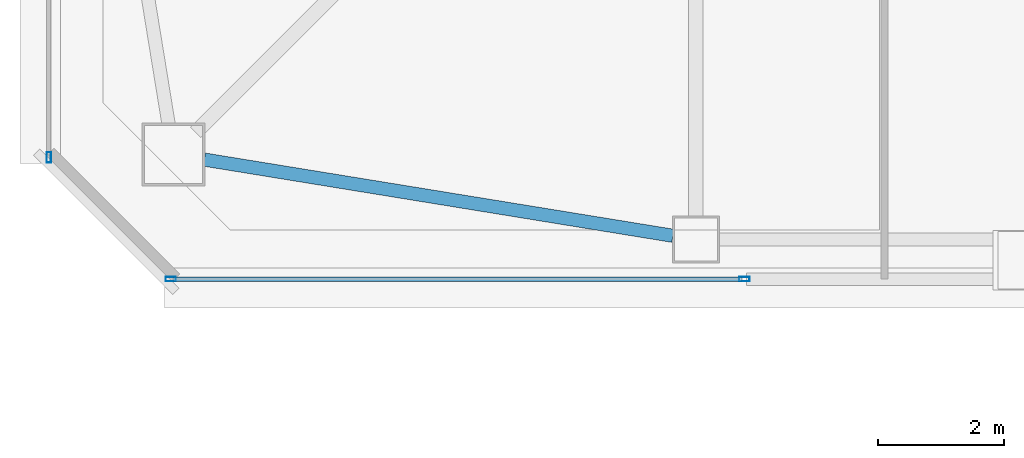
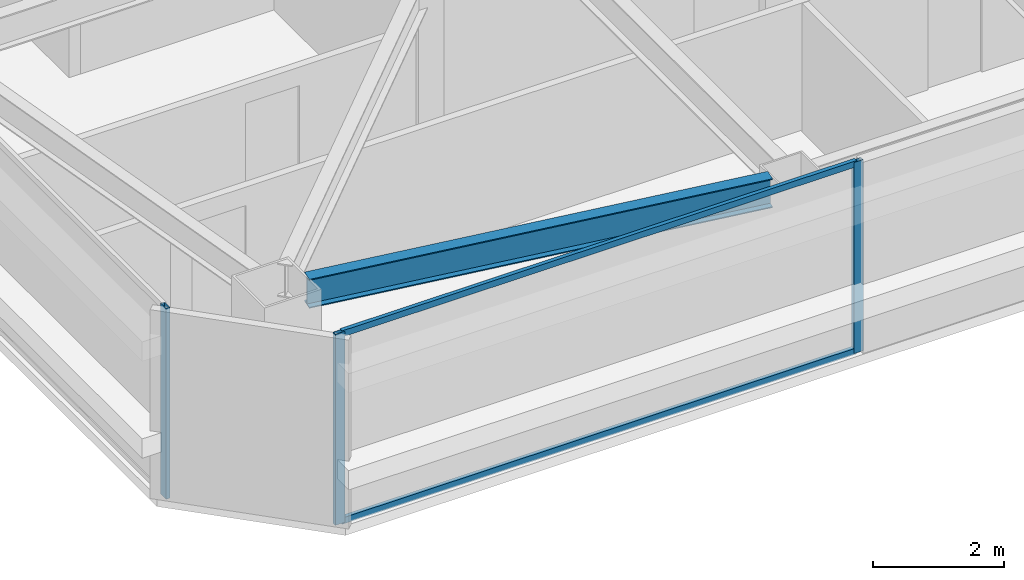
# One storey, part 3 of 39: 5 members, 1 beam, 2 elements without a shape of their own.
"""IFC4 building model written with IfcOpenShell, lengths in metres."""

import ifcopenshell
import ifcopenshell.guid

model = None  # the IFC model being written
_history = None  # IfcOwnerHistory: only IFC2X3 demands one
_inside = {}  # id of a spatial element -> (the spatial element, [elements in it])
_under = {}  # id of a project, library or spatial element -> (it, [spatial elements below it])
_declared = {}  # id of a project -> (the project, [libraries it declares])
_typed = {}  # id of a type object -> (the type object, [elements of that type])
_made_of = {}  # id of a material, layer set ... -> (it, [elements and type objects made of it])


def new_model(schema):
    """Start an empty IFC model of exactly this schema.

    Asked for "IFC4X3", IfcOpenShell would pick the latest addendum, in which some entities
    have other attributes; the version numbers below select the first issue.
    IFC2X3 requires an IfcOwnerHistory on every rooted entity: one is made here for all.
    """
    global model, _history
    if schema == "IFC4X3":
        model = ifcopenshell.file(schema_version=(4, 3, 0, 0))
    else:
        model = ifcopenshell.file(schema=schema)
    _inside.clear()
    _under.clear()
    _declared.clear()
    _typed.clear()
    _made_of.clear()
    _history = None
    if model.schema == "IFC2X3":
        org = make("IfcOrganization", Name="unknown")
        user = make(
            "IfcPersonAndOrganization",
            ThePerson=make("IfcPerson", FamilyName="unknown"),
            TheOrganization=org,
        )
        app = make(
            "IfcApplication",
            ApplicationDeveloper=org,
            Version="unknown",
            ApplicationFullName="unknown",
            ApplicationIdentifier="unknown",
        )
        _history = make(
            "IfcOwnerHistory",
            OwningUser=user,
            OwningApplication=app,
            ChangeAction="ADDED",
            CreationDate=0,
        )
    return model


def make(cls, **values):
    """One entity of the class cls with the attributes given. An attribute that is None is left unset."""
    return model.create_entity(
        cls, **{name: value for name, value in values.items() if value is not None}
    )


def rooted(cls, **values):
    """An entity with a GlobalId (a new one), such as an element, a storey or a relation."""
    return make(cls, GlobalId=ifcopenshell.guid.new(), OwnerHistory=_history, **values)


def si_unit(unit_type, name, prefix=None):
    """IfcSIUnit, for example si_unit("LENGTHUNIT", "METRE", prefix="MILLI")."""
    return make("IfcSIUnit", UnitType=unit_type, Prefix=prefix, Name=name)


def assignment(units):
    """IfcUnitAssignment: the units of a project."""
    return None if units is None else make("IfcUnitAssignment", Units=units)


def point(xyz):
    """IfcCartesianPoint."""
    return None if xyz is None else make("IfcCartesianPoint", Coordinates=xyz)


def direction(xyz):
    """IfcDirection."""
    return None if xyz is None else make("IfcDirection", DirectionRatios=xyz)


def frame(location, z_axis=None, x_axis=None):
    """IfcAxis2Placement3D, a coordinate frame: its origin and axes. An axis left out is left unset."""
    return make(
        "IfcAxis2Placement3D",
        Location=point(location),
        Axis=direction(z_axis),
        RefDirection=direction(x_axis),
    )


def frame_2d(location, x_axis=None):
    """IfcAxis2Placement2D, a coordinate frame in the plane: its origin and x axis."""
    return make(
        "IfcAxis2Placement2D", Location=point(location), RefDirection=direction(x_axis)
    )


def origin():
    """The frame at (0, 0, 0) with its axes left unset."""
    return frame((0.0, 0.0, 0.0))


def origin_2d():
    """The frame at (0, 0) in the plane with its x axis left unset."""
    return frame_2d((0.0, 0.0))


def place(relative_to, where):
    """IfcLocalPlacement: puts the frame where relative to a parent placement (None: the world)."""
    return make(
        "IfcLocalPlacement", PlacementRelTo=relative_to, RelativePlacement=where
    )


def context(
    kind, dimensions, precision=None, world=None, true_north=None, identifier=None
):
    """IfcGeometricRepresentationContext, for example the 3D "Model" context."""
    return make(
        "IfcGeometricRepresentationContext",
        ContextIdentifier=identifier,
        ContextType=kind,
        CoordinateSpaceDimension=dimensions,
        Precision=precision,
        WorldCoordinateSystem=world,
        TrueNorth=true_north,
    )


def subcontext(parent, identifier, kind, view, scale=None):
    """IfcGeometricRepresentationSubContext, for example "Body" below "Model"."""
    return make(
        "IfcGeometricRepresentationSubContext",
        ContextIdentifier=identifier,
        ContextType=kind,
        ParentContext=parent,
        TargetScale=scale,
        TargetView=view,
    )


def project(units=None, contexts=None):
    """IfcProject with its units and contexts."""
    return rooted(
        "IfcProject",
        Name="project",
        RepresentationContexts=contexts,
        UnitsInContext=assignment(units),
    )


def spatial(cls, under=None, at=None, **own):
    """A site, building, storey or space (cls), placed at a placement, below another one or the project."""
    s = rooted(cls, ObjectPlacement=at, **own)
    if under is not None:
        _under.setdefault(under.id(), (under, []))[1].append(s)
    return s


def profile(cls, at=None, kind="AREA", **sizes):
    """A parametric profile (cls). Its sizes go by their IFC names, for example OverallWidth=200.0."""
    return make(cls, ProfileType=kind, Position=at, **sizes)


def hollow_rectangle(**sizes):
    """IfcRectangleHollowProfileDef."""
    return profile("IfcRectangleHollowProfileDef", **sizes)


def i_section(**sizes):
    """IfcIShapeProfileDef."""
    return profile("IfcIShapeProfileDef", **sizes)


def extrude(swept, where, along, depth):
    """IfcExtrudedAreaSolid: the profile swept, set in the frame where, extruded along a direction by depth."""
    return make(
        "IfcExtrudedAreaSolid",
        SweptArea=swept,
        Position=where,
        ExtrudedDirection=direction(along),
        Depth=depth,
    )


def shape(context_of_items, identifier, shape_type, items):
    """IfcShapeRepresentation: the items that make up one representation, for example the "Body"."""
    return make(
        "IfcShapeRepresentation",
        ContextOfItems=context_of_items,
        RepresentationIdentifier=identifier,
        RepresentationType=shape_type,
        Items=items,
    )


def material(Name=None, Category=None):
    """IfcMaterial."""
    return make("IfcMaterial", Name=Name, Category=Category)


def material_profile(
    of_material, cross_section, Name=None, Category=None, Priority=None
):
    """IfcMaterialProfile: a cross section and its material."""
    return make(
        "IfcMaterialProfile",
        Name=Name,
        Material=of_material,
        Profile=cross_section,
        Priority=Priority,
        Category=Category,
    )


def profile_set(profiles, Name=None, composite=None):
    """IfcMaterialProfileSet."""
    return make(
        "IfcMaterialProfileSet",
        Name=Name,
        MaterialProfiles=profiles,
        CompositeProfile=composite,
    )


def made_of(thing, what):
    """Note that an element or type object is made of a material, layer set ...; save() writes the relation."""
    if what is not None:
        _made_of.setdefault(what.id(), (what, []))[1].append(thing)
    return thing


def type_object(cls, material=None, **own):
    """A type object (cls), such as IfcWallType, which elements share."""
    return made_of(rooted(cls, **own), material)


def element(
    cls,
    number,
    at=None,
    inside=None,
    cuts=None,
    type_object=None,
    material=None,
    context=None,
    identifier="Body",
    shape_type=None,
    held_by="IfcProductDefinitionShape",
    body=None,
    shapes=None,
    **own,
):
    """One element of the class cls, such as IfcWall. Its Tag is "e" and its number.

    at: its placement. inside: the storey or other place that contains it. cuts: it is an
    opening in that element (IfcRelVoidsElement). A single representation is given by context,
    identifier, shape_type and body (its items); several are given by shapes. held_by: the class
    of the entity that holds the representations. save() writes the other relations.
    """
    e = rooted(cls, Tag="e%d" % number, ObjectPlacement=at, **own)
    if body is not None:
        shapes = [shape(context, identifier, shape_type, body)]
    if shapes is not None:
        e.Representation = make(held_by, Representations=shapes)
    if inside is not None:
        _inside.setdefault(inside.id(), (inside, []))[1].append(e)
    if cuts is not None:
        rooted(
            "IfcRelVoidsElement", RelatingBuildingElement=cuts, RelatedOpeningElement=e
        )
    if type_object is not None:
        _typed.setdefault(type_object.id(), (type_object, []))[1].append(e)
    return made_of(e, material)


def aggregate(whole, parts):
    """IfcRelAggregates: a whole, such as a stair, and the parts it consists of."""
    return rooted("IfcRelAggregates", RelatingObject=whole, RelatedObjects=parts)


def save(model, path):
    """Write the relations noted so far, then the file.

    IfcRelAggregates (storeys below a building ...), IfcRelContainedInSpatialStructure (elements
    in a storey), IfcRelDefinesByType, IfcRelAssociatesMaterial and IfcRelDeclares: one each for
    every whole, place, type object, material and project.
    """
    for whole, parts in _under.values():
        aggregate(whole, parts)
    for where, things in _inside.values():
        rooted(
            "IfcRelContainedInSpatialStructure",
            RelatedElements=things,
            RelatingStructure=where,
        )
    for kind, things in _typed.values():
        rooted("IfcRelDefinesByType", RelatedObjects=things, RelatingType=kind)
    for what, things in _made_of.values():
        rooted("IfcRelAssociatesMaterial", RelatedObjects=things, RelatingMaterial=what)
    for by, libraries in _declared.values():
        rooted("IfcRelDeclares", RelatingContext=by, RelatedDefinitions=libraries)
    model.write(path)


model = new_model("IFC4")

# Units and contexts
model_context = context("Model", 3, precision=1e-05, world=origin(), true_north=direction((0.0, 1.0)))
body_context = subcontext(model_context, "Body", "Model", "MODEL_VIEW")
ifc_project = project(units=[si_unit("LENGTHUNIT", "METRE"), si_unit("AREAUNIT", "SQUARE_METRE"), si_unit("VOLUMEUNIT", "CUBIC_METRE"), si_unit("PLANEANGLEUNIT", "RADIAN"), si_unit("MASSUNIT", "GRAM", prefix="KILO")], contexts=[model_context])

# Site, building, storey
site_placement = place(None, origin())
site = spatial("IfcSite", under=ifc_project, at=site_placement, CompositionType="ELEMENT")
building_placement = place(site_placement, origin())
building = spatial("IfcBuilding", under=site, at=building_placement, Name="Tashvorn Skyway Center", CompositionType="ELEMENT")
storey_placement = place(building_placement, frame((0.0, 0.0, 243.25)))
storey = spatial("IfcBuildingStorey", under=building, at=storey_placement, Name="L66", CompositionType="ELEMENT", Elevation=243.25)

# Beam
ifc_material_1 = material(Name="Steel ASTM A992 Grade 50", Category="steel")
ifc_material_profile_1 = material_profile(ifc_material_1, i_section(OverallWidth=0.2109375, OverallDepth=0.5390625, WebThickness=0.01171875, FlangeThickness=0.018798828125, at=origin_2d()), Name="W21X73")
ifc_profile_set_1 = profile_set([ifc_material_profile_1], Name="Steel ASTM A992 Grade 50")
beam_type = type_object("IfcBeamType", Name="BM-SPANDREL-W21X73", PredefinedType="SPANDREL", material=ifc_profile_set_1)
beam_placement = place(storey_placement, frame((28.78857421875, 18.220458984375, 2.98046875), z_axis=(0.987033514444, -0.160514302677, 0.0), x_axis=(0.160514302677, 0.987033514444, 0.0)))
element("IfcBeam", 1, at=beam_placement, inside=storey, type_object=beam_type, Name="Tower 1 L66 Spandrel Beam 01", PredefinedType="SPANDREL", context=body_context, shape_type="SweptSolid", body=[
    extrude(i_section(OverallWidth=0.2109375, OverallDepth=0.5390625, WebThickness=0.01171875, FlangeThickness=0.018798828125, at=origin_2d()), origin(), (0.0, 0.0, 1.0), 7.544189453125),
])

# Curtain wall, members
ifc_material_2 = material(Name="Thermally broken bronze-anodized aluminium 6063-T6", Category="aluminium")
curtain_wall_type = type_object("IfcCurtainWallType", Name="CW-CW-Z5", PredefinedType="NOTDEFINED", material=ifc_material_2)
curtain_wall_1_placement = place(storey_placement, origin())
curtain_wall_1 = element("IfcCurtainWall", 2, at=curtain_wall_1_placement, inside=storey, type_object=curtain_wall_type, Name="Tower 1 L66 South Unitised Curtain Wall Glazing Group 2", PredefinedType="NOTDEFINED")
ifc_material_profile_2 = material_profile(ifc_material_2, hollow_rectangle(XDim=0.070068359375, YDim=0.1650390625, WallThickness=0.00390625, at=origin_2d()), Name="ALU-MULL-70x165")
ifc_profile_set_2 = profile_set([ifc_material_profile_2], Name="Thermally broken bronze-anodized aluminium 6063-T6")
member_type_1 = type_object("IfcMemberType", Name="CWM-CW-Z5", PredefinedType="MULLION", material=ifc_profile_set_2)
member_1_placement = place(storey_placement, frame((37.37158203125, 16.320068359375, 0.0), z_axis=(0.0, 0.0, 1.0), x_axis=(0.0, -1.0, 0.0)))
member_1 = element("IfcMember", 3, at=member_1_placement, type_object=member_type_1, Name="CW-Z5 mullion 1", PredefinedType="MULLION", context=body_context, shape_type="SweptSolid", body=[
    extrude(hollow_rectangle(XDim=0.070068359375, YDim=0.1650390625, WallThickness=0.00390625, at=origin_2d()), origin(), (0.0, 0.0, 1.0), 3.550048828125),
])
member_2_placement = place(storey_placement, frame((28.2548828125, 16.320068359375, 0.0), z_axis=(0.0, 0.0, 1.0), x_axis=(0.0, -1.0, 0.0)))
member_2 = element("IfcMember", 4, at=member_2_placement, type_object=member_type_1, Name="CW-Z5 mullion 2", PredefinedType="MULLION", context=body_context, shape_type="SweptSolid", body=[
    extrude(hollow_rectangle(XDim=0.070068359375, YDim=0.1650390625, WallThickness=0.00390625, at=origin_2d()), origin(), (0.0, 0.0, 1.0), 3.550048828125),
])

# Curtain wall, member
curtain_wall_2_placement = place(storey_placement, origin())
curtain_wall_2 = element("IfcCurtainWall", 5, at=curtain_wall_2_placement, inside=storey, type_object=curtain_wall_type, Name="Tower 1 L66 West Unitised Curtain Wall Glazing Group 1", PredefinedType="NOTDEFINED")
member_3_placement = place(storey_placement, frame((26.320068359375, 18.2548828125, 0.0), z_axis=(0.0, 0.0, 1.0), x_axis=(-1.0, 0.0, 0.0)))
member_3 = element("IfcMember", 6, at=member_3_placement, type_object=member_type_1, Name="CW-Z5 mullion 1", PredefinedType="MULLION", context=body_context, shape_type="SweptSolid", body=[
    extrude(hollow_rectangle(XDim=0.070068359375, YDim=0.1650390625, WallThickness=0.00390625, at=origin_2d()), origin(), (0.0, 0.0, 1.0), 3.550048828125),
])
aggregate(curtain_wall_2, [member_3])

# Member
ifc_material_profile_3 = material_profile(ifc_material_2, hollow_rectangle(XDim=0.070068359375, YDim=0.114990234375, WallThickness=0.00390625, at=origin_2d()), Name="ALU-TRAN-70x115")
ifc_profile_set_3 = profile_set([ifc_material_profile_3], Name="Thermally broken bronze-anodized aluminium 6063-T6")
member_type_2 = type_object("IfcMemberType", Name="CWT-CW-Z5", PredefinedType="USERDEFINED", material=ifc_profile_set_3)
member_4_placement = place(storey_placement, frame((37.336669921875, 16.320068359375, 0.034912109375), z_axis=(-1.0, 0.0, 0.0), x_axis=(0.0, -1.0, 0.0)))
member_4 = element("IfcMember", 7, at=member_4_placement, type_object=member_type_2, Name="CW-Z5 transom 1.1", ObjectType="TRANSOM", PredefinedType="USERDEFINED", context=body_context, shape_type="SweptSolid", body=[
    extrude(hollow_rectangle(XDim=0.070068359375, YDim=0.114990234375, WallThickness=0.00390625, at=origin_2d()), origin(), (0.0, 0.0, 1.0), 9.046630859375),
])

member_5_placement = place(storey_placement, frame((37.336669921875, 16.320068359375, 3.514892578125), z_axis=(-1.0, 0.0, 0.0), x_axis=(0.0, -1.0, 0.0)))
member_5 = element("IfcMember", 8, at=member_5_placement, type_object=member_type_2, Name="CW-Z5 transom 1.2", ObjectType="TRANSOM", PredefinedType="USERDEFINED", context=body_context, shape_type="SweptSolid", body=[
    extrude(hollow_rectangle(XDim=0.070068359375, YDim=0.114990234375, WallThickness=0.00390625, at=origin_2d()), origin(), (0.0, 0.0, 1.0), 9.046630859375),
])

aggregate(curtain_wall_1, [member_1, member_2, member_4, member_5])

save(model, "model.ifc")
